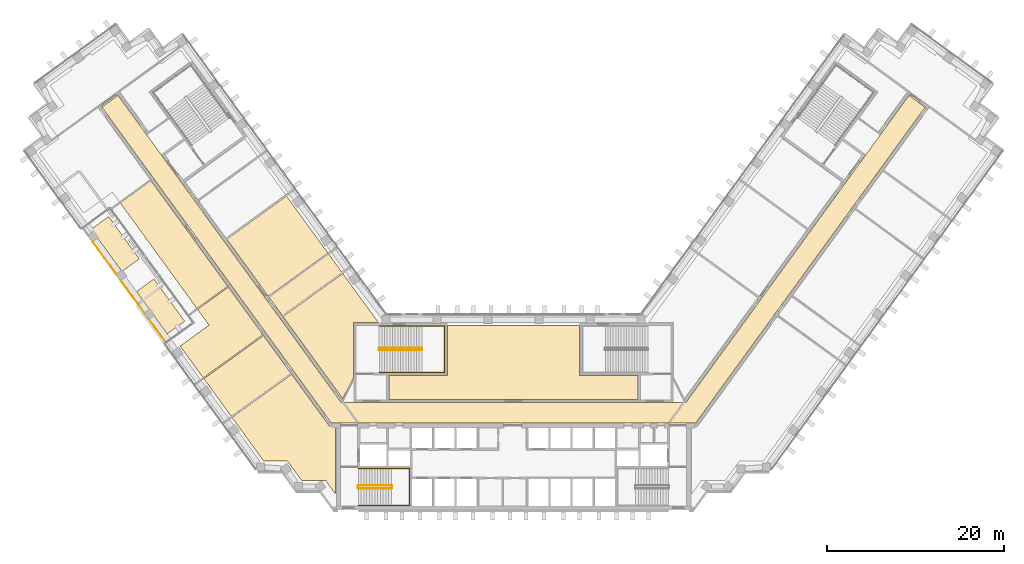
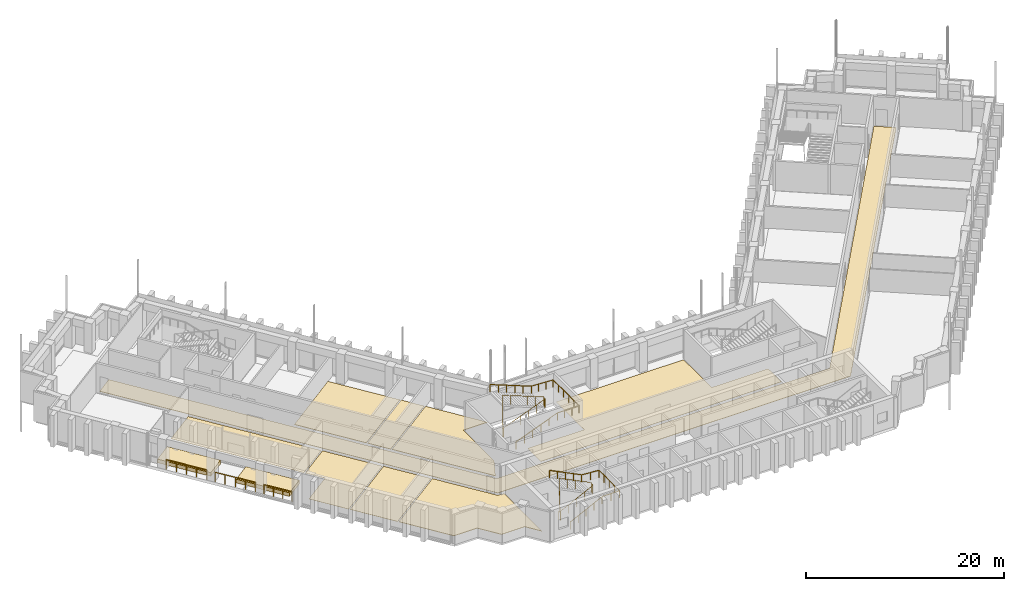
# One storey, part 16 of 19: 11 coverings, 7 railings.
"""IFC4 building model written with IfcOpenShell, lengths in metres."""

from ifc_helpers import new_model, si_unit, direction, frame, origin, origin_2d, place, context, subcontext, project, spatial, polyline, circle, outline, extrude, material, layer, layer_set, type_object, element, save


model = new_model("IFC4")

# Units and contexts
model_context = context("Model", 3, precision=1e-05, world=origin(), true_north=direction((0.0, 1.0)))
body_context = subcontext(model_context, "Body", "Model", "MODEL_VIEW")
ifc_project = project(units=[si_unit("LENGTHUNIT", "METRE"), si_unit("AREAUNIT", "SQUARE_METRE"), si_unit("VOLUMEUNIT", "CUBIC_METRE"), si_unit("PLANEANGLEUNIT", "RADIAN"), si_unit("MASSUNIT", "GRAM", prefix="KILO")], contexts=[model_context])

# Site, building, storey
site_placement = place(None, origin())
site = spatial("IfcSite", under=ifc_project, at=site_placement, CompositionType="ELEMENT")
building_placement = place(site_placement, origin())
building = spatial("IfcBuilding", under=site, at=building_placement, Name="Quipu Civic Tower", CompositionType="ELEMENT")
storey_placement = place(building_placement, frame((0.0, 0.0, 47.0)))
storey = spatial("IfcBuildingStorey", under=building, at=storey_placement, Name="L10", CompositionType="ELEMENT", Elevation=47.0)

# Coverings
ifc_material_1 = material(Name="Carpet tile on raised access floor")
ifc_layer_1 = layer(ifc_material_1, 0.02001953125)
ifc_layer_set_1 = layer_set([ifc_layer_1], Name="Carpet tile on raised access floor")
covering_type_1 = type_object("IfcCoveringType", Name="Carpet tile floor finish 20", PredefinedType="FLOORING", material=ifc_layer_set_1)
covering_1_placement = place(storey_placement, origin())
element("IfcCovering", 1, at=covering_1_placement, inside=storey, type_object=covering_type_1, Name="Carpet tile floor finish 20", PredefinedType="FLOORING", context=body_context, shape_type="SweptSolid", body=[
    extrude(outline(polyline([(-44.368896484375, 23.673095703125), (-40.905029296875, 26.18798828125), (-32.260009765625, 14.287109375), (-35.72412109375, 11.77197265625), (-44.368896484375, 23.673095703125)])), origin(), (0.0, 0.0, 1.0), 0.02001953125),
])
covering_2_placement = place(storey_placement, origin())
element("IfcCovering", 2, at=covering_2_placement, inside=storey, type_object=covering_type_1, Name="Carpet tile floor finish 20", PredefinedType="FLOORING", context=body_context, shape_type="SweptSolid", body=[
    extrude(outline(polyline([(-37.610107421875, 7.514892578125), (-34.35205078125, 9.881103515625), (-35.64111328125, 11.657958984375), (-32.177001953125, 14.174072265625), (-28.2919921875, 8.826904296875), (-35.01611328125, 3.943115234375), (-37.610107421875, 7.514892578125)])), origin(), (0.0, 0.0, 1.0), 0.02001953125),
])
covering_3_placement = place(storey_placement, origin())
element("IfcCovering", 3, at=covering_3_placement, inside=storey, type_object=covering_type_1, Name="Carpet tile floor finish 20", PredefinedType="FLOORING", context=body_context, shape_type="SweptSolid", body=[
    extrude(outline(polyline([(-14.030029296875, 1.52001953125), (-14.030029296875, 4.179931640625), (-7.429931640625, 4.180908203125), (-7.429931640625, 9.830078125), (7.429931640625, 9.830078125), (7.430908203125, 4.179931640625), (14.030029296875, 4.179931640625), (14.030029296875, 1.52001953125), (-14.030029296875, 1.52001953125)])), origin(), (0.0, 0.0, 1.0), 0.02001953125),
])
ifc_material_2 = material(Name="Ceramic floor tile")
ifc_layer_2 = layer(ifc_material_2, 0.030029296875)
ifc_layer_set_2 = layer_set([ifc_layer_2], Name="Ceramic floor tile")
covering_type_2 = type_object("IfcCoveringType", Name="Ceramic tile floor finish 30", PredefinedType="FLOORING", material=ifc_layer_set_2)
covering_4_placement = place(storey_placement, origin())
element("IfcCovering", 4, at=covering_4_placement, inside=storey, type_object=covering_type_2, Name="Ceramic tile floor finish 30", PredefinedType="FLOORING", context=body_context, shape_type="SweptSolid", body=[
    extrude(outline(polyline([(-34.931884765625, 3.830078125), (-28.208984375, 8.714111328125), (-25.117919921875, 4.4580078125), (-31.841064453125, -0.426025390625), (-34.931884765625, 3.830078125)])), origin(), (0.0, 0.0, 1.0), 0.030029296875),
])
ifc_material_3 = material(Name="Planting soil on drainage board")
ifc_layer_3 = layer(ifc_material_3, 0.449951171875)
ifc_layer_set_3 = layer_set([ifc_layer_3], Name="Planting soil on drainage board")
covering_type_3 = type_object("IfcCoveringType", Name="Planted terrace build-up", PredefinedType="FLOORING", material=ifc_layer_set_3)
covering_5_placement = place(storey_placement, origin())
element("IfcCovering", 5, at=covering_5_placement, inside=storey, type_object=covering_type_3, Name="Planted terrace L10 bed 1", PredefinedType="FLOORING", context=body_context, shape_type="SweptSolid", body=[
    extrude(outline(polyline([(-47.64892578125, 20.7021484375), (-45.68408203125, 22.129638671875), (-42.216064453125, 17.3564453125), (-44.180908203125, 15.9287109375), (-47.64892578125, 20.7021484375)])), origin(), (0.0, 0.0, 1.0), 0.449951171875),
])
covering_6_placement = place(storey_placement, origin())
element("IfcCovering", 6, at=covering_6_placement, inside=storey, type_object=covering_type_3, Name="Planted terrace L10 bed 2", PredefinedType="FLOORING", context=body_context, shape_type="SweptSolid", body=[
    extrude(outline(polyline([(-42.53515625, 13.66357421875), (-40.5703125, 15.091064453125), (-37.1025390625, 10.318115234375), (-39.067138671875, 8.890380859375), (-42.53515625, 13.66357421875)])), origin(), (0.0, 0.0, 1.0), 0.449951171875),
])
ifc_material_4 = material(Name="Sealed cement screed")
ifc_layer_4 = layer(ifc_material_4, 0.050048828125)
ifc_layer_set_4 = layer_set([ifc_layer_4], Name="Sealed cement screed")
covering_type_4 = type_object("IfcCoveringType", Name="Sealed screed floor finish 50", PredefinedType="FLOORING", material=ifc_layer_set_4)
covering_7_placement = place(storey_placement, origin())
element("IfcCovering", 7, at=covering_7_placement, inside=storey, type_object=covering_type_4, Name="Sealed screed floor finish 50", PredefinedType="FLOORING", context=body_context, shape_type="SweptSolid", body=[
    extrude(outline(polyline([(-27.577880859375, 13.01708984375), (-20.85498046875, 17.90087890625), (-19.35107421875, 15.8291015625), (-26.073974609375, 10.946044921875), (-27.577880859375, 13.01708984375)])), origin(), (0.0, 0.0, 1.0), 0.050048828125),
])
covering_8_placement = place(storey_placement, origin())
element("IfcCovering", 8, at=covering_8_placement, inside=storey, type_object=covering_type_4, Name="Sealed screed floor finish 50", PredefinedType="FLOORING", context=body_context, shape_type="SweptSolid", body=[
    extrude(outline(polyline([(-25.990966796875, 10.8330078125), (-19.26806640625, 15.716064453125), (-15.238037109375, 10.169921875), (-18.070068359375, 10.1689453125), (-18.070068359375, 3.94189453125), (-19.27197265625, 1.583984375), (-25.990966796875, 10.8330078125)])), origin(), (0.0, 0.0, 1.0), 0.050048828125),
])
covering_9_placement = place(storey_placement, origin())
element("IfcCovering", 9, at=covering_9_placement, inside=storey, type_object=covering_type_4, Name="Sealed screed floor finish 50", PredefinedType="FLOORING", context=body_context, shape_type="SweptSolid", body=[
    extrude(outline(polyline([(-31.758056640625, -0.5390625), (-25.034912109375, 4.344970703125), (-20.77490234375, -1.51904296875), (-20.070068359375, -1.52001953125), (-20.070068359375, -9.195068359375), (-21.196044921875, -7.64599609375), (-21.6630859375, -7.64599609375), (-21.666015625, -7.64404296875), (-21.669921875, -7.64111328125), (-21.675048828125, -7.639892578125), (-21.679931640625, -7.637939453125), (-21.68408203125, -7.636962890625), (-21.68896484375, -7.636962890625), (-21.694091796875, -7.635986328125), (-21.698974609375, -7.636962890625), (-21.7041015625, -7.637939453125), (-21.708984375, -7.638916015625), (-21.712890625, -7.64111328125), (-21.718017578125, -7.64306640625), (-21.721923828125, -7.64599609375), (-21.721923828125, -7.64599609375), (-23.89501953125, -7.64599609375), (-25.48193359375, -5.4619140625), (-28.181884765625, -5.4609375), (-31.758056640625, -0.5390625)])), origin(), (0.0, 0.0, 1.0), 0.050048828125),
])
covering_10_placement = place(storey_placement, origin())
element("IfcCovering", 10, at=covering_10_placement, inside=storey, type_object=covering_type_4, Name="Sealed screed floor finish 50", PredefinedType="FLOORING", context=body_context, shape_type="SweptSolid", body=[
    extrude(outline(polyline([(-32.339111328125, 19.570068359375), (-25.615966796875, 24.4541015625), (-20.93798828125, 18.013916015625), (-27.660888671875, 13.1298828125), (-32.339111328125, 19.570068359375)])), origin(), (0.0, 0.0, 1.0), 0.050048828125),
])

# Railings
ifc_material_5 = material(Name="Stainless steel", Category="steel")
railing_type_1 = type_object("IfcRailingType", Name="Stair guard 1100", PredefinedType="GUARDRAIL", material=ifc_material_5)
railing_1_placement = place(storey_placement, frame((-17.5, -8.550048828125, 0.15380859375)))
element("IfcRailing", 11, at=railing_1_placement, inside=storey, type_object=railing_type_1, Name="Stair 1 guard", PredefinedType="GUARDRAIL", context=body_context, shape_type="SweptSolid", body=[
    extrude(circle(Radius=0.02392578125, at=origin_2d()), frame((0.0, 0.0, 1.076171875), z_axis=(0.895751851347, 0.0, 0.444554407028), x_axis=(0.0, 1.0, 0.0)), (0.0, 0.0, 1.0), 4.15283203125),
    extrude(circle(Radius=0.02392578125, at=origin_2d()), frame((3.719970703125, 0.0, 2.92236328125), z_axis=(0.707106781187, 0.707106781187, 0.0), x_axis=(-0.707106781187, 0.707106781187, 0.0)), (0.0, 0.0, 1.0), 0.07080078125),
    extrude(circle(Radius=0.02392578125, at=origin_2d()), frame((3.77001953125, 0.050048828125, 2.92236328125), z_axis=(0.0, 1.0, 0.0), x_axis=(-1.0, 0.0, 0.0)), (0.0, 0.0, 1.0), 0.25),
    extrude(circle(Radius=0.02392578125, at=origin_2d()), frame((3.77001953125, 0.300048828125, 2.92236328125), z_axis=(-0.295599637079, 0.295599637079, 0.908428152975), x_axis=(-0.707106781187, -0.707106781187, 0.0)), (0.0, 0.0, 1.0), 0.16943359375),
    extrude(circle(Radius=0.02392578125, at=origin_2d()), frame((3.719970703125, 0.35009765625, 3.076171875), z_axis=(-0.895751851347, 0.0, 0.444554407028), x_axis=(0.0, -1.0, 0.0)), (0.0, 0.0, 1.0), 4.15283203125),
    extrude(circle(Radius=0.02392578125, at=origin_2d()), frame((0.0, 0.35009765625, 4.92236328125), z_axis=(-0.012476181752, -0.074796231092, -0.997120789425), x_axis=(0.986372223864, -0.164529134168, 0.0)), (0.0, 0.0, 1.0), 4.011474609375),
    extrude(circle(Radius=0.02392578125, at=origin_2d()), frame((-0.050048828125, 0.050048828125, 0.92236328125), z_axis=(0.0, 1.0, 0.0), x_axis=(-1.0, 0.0, 0.0)), (0.0, 0.0, 1.0), 0.25),
    extrude(circle(Radius=0.02099609375, at=origin_2d()), origin(), (0.0, 0.0, 1.0), 1.052001953125),
    extrude(circle(Radius=0.02099609375, at=origin_2d()), frame((0.929931640625, 0.0, 0.46142578125)), (0.0, 0.0, 1.0), 1.052001953125),
    extrude(circle(Radius=0.02099609375, at=origin_2d()), frame((1.85986328125, 0.0, 0.923095703125)), (0.0, 0.0, 1.0), 1.052001953125),
    extrude(circle(Radius=0.02099609375, at=origin_2d()), frame((2.7900390625, 0.0, 1.384765625)), (0.0, 0.0, 1.0), 1.052001953125),
    extrude(circle(Radius=0.02099609375, at=origin_2d()), frame((3.719970703125, 0.0, 1.84619140625)), (0.0, 0.0, 1.0), 1.052001953125),
    extrude(circle(Radius=0.02099609375, at=origin_2d()), frame((3.77001953125, 0.050048828125, 1.84619140625)), (0.0, 0.0, 1.0), 1.052001953125),
    extrude(circle(Radius=0.02099609375, at=origin_2d()), frame((3.77001953125, 0.300048828125, 1.84619140625)), (0.0, 0.0, 1.0), 1.052001953125),
    extrude(circle(Radius=0.02099609375, at=origin_2d()), frame((3.719970703125, 0.35009765625, 2.0)), (0.0, 0.0, 1.0), 1.052001953125),
    extrude(circle(Radius=0.02099609375, at=origin_2d()), frame((2.7900390625, 0.35009765625, 2.46142578125)), (0.0, 0.0, 1.0), 1.052001953125),
    extrude(circle(Radius=0.02099609375, at=origin_2d()), frame((1.85986328125, 0.35009765625, 2.923095703125)), (0.0, 0.0, 1.0), 1.052001953125),
    extrude(circle(Radius=0.02099609375, at=origin_2d()), frame((0.929931640625, 0.35009765625, 3.384765625)), (0.0, 0.0, 1.0), 1.052001953125),
    extrude(circle(Radius=0.02099609375, at=origin_2d()), frame((0.0, 0.35009765625, 3.84619140625)), (0.0, 0.0, 1.0), 1.052001953125),
    extrude(circle(Radius=0.02099609375, at=origin_2d()), frame((-0.012451171875, 0.275146484375, 2.84619140625)), (0.0, 0.0, 1.0), 1.052001953125),
    extrude(circle(Radius=0.02099609375, at=origin_2d()), frame((-0.02490234375, 0.2001953125, 1.84619140625)), (0.0, 0.0, 1.0), 1.052001953125),
    extrude(circle(Radius=0.02099609375, at=origin_2d()), frame((-0.03759765625, 0.125, 0.84619140625)), (0.0, 0.0, 1.0), 1.052001953125),
    extrude(circle(Radius=0.02099609375, at=origin_2d()), frame((-0.050048828125, 0.050048828125, -0.15380859375)), (0.0, 0.0, 1.0), 1.052001953125),
    extrude(circle(Radius=0.02099609375, at=origin_2d()), frame((-0.050048828125, 0.300048828125, -0.15380859375)), (0.0, 0.0, 1.0), 1.052001953125),
])
railing_2_placement = place(storey_placement, frame((-15.14990234375, 7.050048828125, 0.11767578125)))
element("IfcRailing", 12, at=railing_2_placement, inside=storey, type_object=railing_type_1, Name="Stair 3 guard", PredefinedType="GUARDRAIL", context=body_context, shape_type="SweptSolid", body=[
    extrude(circle(Radius=0.02392578125, at=origin_2d()), frame((0.0, 0.0, 1.076171875), z_axis=(0.930970042603, 0.0, 0.365095576219), x_axis=(0.0, 1.0, 0.0)), (0.0, 0.0, 1.0), 5.15576171875),
    extrude(circle(Radius=0.02392578125, at=origin_2d()), frame((4.7998046875, 0.0, 2.95849609375), z_axis=(0.707106781187, 0.707106781187, 0.0), x_axis=(-0.707106781187, 0.707106781187, 0.0)), (0.0, 0.0, 1.0), 0.07080078125),
    extrude(circle(Radius=0.02392578125, at=origin_2d()), frame((4.849853515625, 0.050048828125, 2.95849609375), z_axis=(0.0, 1.0, 0.0), x_axis=(-1.0, 0.0, 0.0)), (0.0, 0.0, 1.0), 0.14990234375),
    extrude(circle(Radius=0.02392578125, at=origin_2d()), frame((4.849853515625, 0.199951171875, 2.95849609375), z_axis=(-0.364463019033, 0.364463019033, 0.856932561824), x_axis=(-0.707106781187, -0.707106781187, 0.0)), (0.0, 0.0, 1.0), 0.13720703125),
    extrude(circle(Radius=0.02392578125, at=origin_2d()), frame((4.7998046875, 0.25, 3.076171875), z_axis=(-0.930970042603, 0.0, 0.365095576219), x_axis=(0.0, -1.0, 0.0)), (0.0, 0.0, 1.0), 5.15576171875),
    extrude(circle(Radius=0.02392578125, at=origin_2d()), frame((0.0, 0.25, 4.95849609375), z_axis=(-0.012495627992, -0.049921557685, -0.998674970829), x_axis=(0.970072785993, -0.242814311512, 0.0)), (0.0, 0.0, 1.0), 4.00537109375),
    extrude(circle(Radius=0.02392578125, at=origin_2d()), frame((-0.050048828125, 0.050048828125, 0.95849609375), z_axis=(0.0, 1.0, 0.0), x_axis=(-1.0, 0.0, 0.0)), (0.0, 0.0, 1.0), 0.14990234375),
    extrude(circle(Radius=0.02099609375, at=origin_2d()), origin(), (0.0, 0.0, 1.0), 1.052001953125),
    extrude(circle(Radius=0.02099609375, at=origin_2d()), frame((0.9599609375, 0.0, 0.37646484375)), (0.0, 0.0, 1.0), 1.052001953125),
    extrude(circle(Radius=0.02099609375, at=origin_2d()), frame((1.919921875, 0.0, 0.7529296875)), (0.0, 0.0, 1.0), 1.052001953125),
    extrude(circle(Radius=0.02099609375, at=origin_2d()), frame((2.8798828125, 0.0, 1.12939453125)), (0.0, 0.0, 1.0), 1.052001953125),
    extrude(circle(Radius=0.02099609375, at=origin_2d()), frame((3.83984375, 0.0, 1.505859375)), (0.0, 0.0, 1.0), 1.052001953125),
    extrude(circle(Radius=0.02099609375, at=origin_2d()), frame((4.7998046875, 0.0, 1.88232421875)), (0.0, 0.0, 1.0), 1.052001953125),
    extrude(circle(Radius=0.02099609375, at=origin_2d()), frame((4.849853515625, 0.050048828125, 1.88232421875)), (0.0, 0.0, 1.0), 1.052001953125),
    extrude(circle(Radius=0.02099609375, at=origin_2d()), frame((4.849853515625, 0.199951171875, 1.88232421875)), (0.0, 0.0, 1.0), 1.052001953125),
    extrude(circle(Radius=0.02099609375, at=origin_2d()), frame((4.7998046875, 0.25, 2.0)), (0.0, 0.0, 1.0), 1.052001953125),
    extrude(circle(Radius=0.02099609375, at=origin_2d()), frame((3.83984375, 0.25, 2.37646484375)), (0.0, 0.0, 1.0), 1.052001953125),
    extrude(circle(Radius=0.02099609375, at=origin_2d()), frame((2.8798828125, 0.25, 2.7529296875)), (0.0, 0.0, 1.0), 1.052001953125),
    extrude(circle(Radius=0.02099609375, at=origin_2d()), frame((1.919921875, 0.25, 3.12939453125)), (0.0, 0.0, 1.0), 1.052001953125),
    extrude(circle(Radius=0.02099609375, at=origin_2d()), frame((0.9599609375, 0.25, 3.505859375)), (0.0, 0.0, 1.0), 1.052001953125),
    extrude(circle(Radius=0.02099609375, at=origin_2d()), frame((0.0, 0.25, 3.88232421875)), (0.0, 0.0, 1.0), 1.052001953125),
    extrude(circle(Radius=0.02099609375, at=origin_2d()), frame((-0.012451171875, 0.199951171875, 2.88232421875)), (0.0, 0.0, 1.0), 1.052001953125),
    extrude(circle(Radius=0.02099609375, at=origin_2d()), frame((-0.02490234375, 0.14990234375, 1.88232421875)), (0.0, 0.0, 1.0), 1.052001953125),
    extrude(circle(Radius=0.02099609375, at=origin_2d()), frame((-0.03759765625, 0.10009765625, 0.88232421875)), (0.0, 0.0, 1.0), 1.052001953125),
    extrude(circle(Radius=0.02099609375, at=origin_2d()), frame((-0.050048828125, 0.050048828125, -0.11767578125)), (0.0, 0.0, 1.0), 1.052001953125),
    extrude(circle(Radius=0.02099609375, at=origin_2d()), frame((-0.050048828125, 0.199951171875, -0.11767578125)), (0.0, 0.0, 1.0), 1.052001953125),
])
ifc_material_6 = material(Name="Stainless steel", Category="steel")
railing_type_2 = type_object("IfcRailingType", Name="Stair handrail", PredefinedType="HANDRAIL", material=ifc_material_6)
railing_3_placement = place(storey_placement, frame((-17.5, -10.449951171875, 0.15380859375)))
element("IfcRailing", 13, at=railing_3_placement, inside=storey, type_object=railing_type_2, Name="Stair 1 handrail", PredefinedType="HANDRAIL", context=body_context, shape_type="SweptSolid", body=[
    extrude(circle(Radius=0.02392578125, at=origin_2d()), frame((0.0, 0.0, 0.8759765625), z_axis=(0.895751851347, 0.0, 0.444554407028), x_axis=(0.0, 1.0, 0.0)), (0.0, 0.0, 1.0), 4.15283203125),
    extrude(circle(Radius=0.02392578125, at=origin_2d()), frame((3.719970703125, 0.0, 2.72216796875), z_axis=(1.0, 0.0, 0.0), x_axis=(0.0, 1.0, 0.0)), (0.0, 0.0, 1.0), 2.030029296875),
    extrude(circle(Radius=0.02392578125, at=origin_2d()), frame((5.75, 0.0, 2.72216796875), z_axis=(0.0, 1.0, 0.0), x_axis=(-1.0, 0.0, 0.0)), (0.0, 0.0, 1.0), 4.14990234375),
    extrude(circle(Radius=0.02392578125, at=origin_2d()), frame((5.75, 4.14990234375, 2.72216796875), z_axis=(-0.997142003663, 0.0, 0.075550145798), x_axis=(0.0, -1.0, 0.0)), (0.0, 0.0, 1.0), 2.035888671875),
    extrude(circle(Radius=0.02392578125, at=origin_2d()), frame((3.719970703125, 4.14990234375, 2.8759765625), z_axis=(-0.895751851347, 0.0, 0.444554407028), x_axis=(0.0, -1.0, 0.0)), (0.0, 0.0, 1.0), 4.15283203125),
    extrude(circle(Radius=0.02099609375, at=origin_2d()), origin(), (0.0, 0.0, 1.0), 0.851806640625),
    extrude(circle(Radius=0.02099609375, at=origin_2d()), frame((0.929931640625, 0.0, 0.46142578125)), (0.0, 0.0, 1.0), 0.851806640625),
    extrude(circle(Radius=0.02099609375, at=origin_2d()), frame((1.85986328125, 0.0, 0.923095703125)), (0.0, 0.0, 1.0), 0.851806640625),
    extrude(circle(Radius=0.02099609375, at=origin_2d()), frame((2.7900390625, 0.0, 1.384765625)), (0.0, 0.0, 1.0), 0.851806640625),
    extrude(circle(Radius=0.02099609375, at=origin_2d()), frame((3.719970703125, 0.0, 1.84619140625)), (0.0, 0.0, 1.0), 0.851806640625),
    extrude(circle(Radius=0.02099609375, at=origin_2d()), frame((4.73486328125, 0.0, 1.84619140625)), (0.0, 0.0, 1.0), 0.851806640625),
    extrude(circle(Radius=0.02099609375, at=origin_2d()), frame((5.75, 0.0, 1.84619140625)), (0.0, 0.0, 1.0), 0.851806640625),
    extrude(circle(Radius=0.02099609375, at=origin_2d()), frame((5.75, 1.03759765625, 1.84619140625)), (0.0, 0.0, 1.0), 0.851806640625),
    extrude(circle(Radius=0.02099609375, at=origin_2d()), frame((5.75, 2.074951171875, 1.84619140625)), (0.0, 0.0, 1.0), 0.851806640625),
    extrude(circle(Radius=0.02099609375, at=origin_2d()), frame((5.75, 3.1123046875, 1.84619140625)), (0.0, 0.0, 1.0), 0.851806640625),
    extrude(circle(Radius=0.02099609375, at=origin_2d()), frame((5.75, 4.14990234375, 1.84619140625)), (0.0, 0.0, 1.0), 0.851806640625),
    extrude(circle(Radius=0.02099609375, at=origin_2d()), frame((4.73486328125, 4.14990234375, 1.923095703125)), (0.0, 0.0, 1.0), 0.851806640625),
    extrude(circle(Radius=0.02099609375, at=origin_2d()), frame((3.719970703125, 4.14990234375, 2.0)), (0.0, 0.0, 1.0), 0.851806640625),
    extrude(circle(Radius=0.02099609375, at=origin_2d()), frame((2.7900390625, 4.14990234375, 2.46142578125)), (0.0, 0.0, 1.0), 0.851806640625),
    extrude(circle(Radius=0.02099609375, at=origin_2d()), frame((1.85986328125, 4.14990234375, 2.923095703125)), (0.0, 0.0, 1.0), 0.851806640625),
    extrude(circle(Radius=0.02099609375, at=origin_2d()), frame((0.929931640625, 4.14990234375, 3.384765625)), (0.0, 0.0, 1.0), 0.851806640625),
    extrude(circle(Radius=0.02099609375, at=origin_2d()), frame((0.0, 4.14990234375, 3.84619140625)), (0.0, 0.0, 1.0), 0.851806640625),
])
railing_4_placement = place(storey_placement, frame((-15.14990234375, 4.550048828125, 0.11767578125)))
element("IfcRailing", 14, at=railing_4_placement, inside=storey, type_object=railing_type_2, Name="Stair 3 handrail", PredefinedType="HANDRAIL", context=body_context, shape_type="SweptSolid", body=[
    extrude(circle(Radius=0.02392578125, at=origin_2d()), frame((0.0, 0.0, 0.8759765625), z_axis=(0.930970042603, 0.0, 0.365095576219), x_axis=(0.0, 1.0, 0.0)), (0.0, 0.0, 1.0), 5.15576171875),
    extrude(circle(Radius=0.02392578125, at=origin_2d()), frame((4.7998046875, 0.0, 2.75830078125), z_axis=(1.0, 0.0, 0.0), x_axis=(0.0, 1.0, 0.0)), (0.0, 0.0, 1.0), 2.550048828125),
    extrude(circle(Radius=0.02392578125, at=origin_2d()), frame((7.349853515625, 0.0, 2.75830078125), z_axis=(0.0, 1.0, 0.0), x_axis=(-1.0, 0.0, 0.0)), (0.0, 0.0, 1.0), 5.25),
    extrude(circle(Radius=0.02392578125, at=origin_2d()), frame((7.349853515625, 5.25, 2.75830078125), z_axis=(-0.998936948642, 0.0, 0.04609742549), x_axis=(0.0, -1.0, 0.0)), (0.0, 0.0, 1.0), 2.552734375),
    extrude(circle(Radius=0.02392578125, at=origin_2d()), frame((4.7998046875, 5.25, 2.8759765625), z_axis=(-0.930970042603, 0.0, 0.365095576219), x_axis=(0.0, -1.0, 0.0)), (0.0, 0.0, 1.0), 5.15576171875),
    extrude(circle(Radius=0.02099609375, at=origin_2d()), origin(), (0.0, 0.0, 1.0), 0.851806640625),
    extrude(circle(Radius=0.02099609375, at=origin_2d()), frame((0.9599609375, 0.0, 0.37646484375)), (0.0, 0.0, 1.0), 0.851806640625),
    extrude(circle(Radius=0.02099609375, at=origin_2d()), frame((1.919921875, 0.0, 0.7529296875)), (0.0, 0.0, 1.0), 0.851806640625),
    extrude(circle(Radius=0.02099609375, at=origin_2d()), frame((2.8798828125, 0.0, 1.12939453125)), (0.0, 0.0, 1.0), 0.851806640625),
    extrude(circle(Radius=0.02099609375, at=origin_2d()), frame((3.83984375, 0.0, 1.505859375)), (0.0, 0.0, 1.0), 0.851806640625),
    extrude(circle(Radius=0.02099609375, at=origin_2d()), frame((4.7998046875, 0.0, 1.88232421875)), (0.0, 0.0, 1.0), 0.851806640625),
    extrude(circle(Radius=0.02099609375, at=origin_2d()), frame((5.64990234375, 0.0, 1.88232421875)), (0.0, 0.0, 1.0), 0.851806640625),
    extrude(circle(Radius=0.02099609375, at=origin_2d()), frame((6.499755859375, 0.0, 1.88232421875)), (0.0, 0.0, 1.0), 0.851806640625),
    extrude(circle(Radius=0.02099609375, at=origin_2d()), frame((7.349853515625, 0.0, 1.88232421875)), (0.0, 0.0, 1.0), 0.851806640625),
    extrude(circle(Radius=0.02099609375, at=origin_2d()), frame((7.349853515625, 1.050048828125, 1.88232421875)), (0.0, 0.0, 1.0), 0.851806640625),
    extrude(circle(Radius=0.02099609375, at=origin_2d()), frame((7.349853515625, 2.10009765625, 1.88232421875)), (0.0, 0.0, 1.0), 0.851806640625),
    extrude(circle(Radius=0.02099609375, at=origin_2d()), frame((7.349853515625, 3.14990234375, 1.88232421875)), (0.0, 0.0, 1.0), 0.851806640625),
    extrude(circle(Radius=0.02099609375, at=origin_2d()), frame((7.349853515625, 4.199951171875, 1.88232421875)), (0.0, 0.0, 1.0), 0.851806640625),
    extrude(circle(Radius=0.02099609375, at=origin_2d()), frame((7.349853515625, 5.25, 1.88232421875)), (0.0, 0.0, 1.0), 0.851806640625),
    extrude(circle(Radius=0.02099609375, at=origin_2d()), frame((6.499755859375, 5.25, 1.921630859375)), (0.0, 0.0, 1.0), 0.851806640625),
    extrude(circle(Radius=0.02099609375, at=origin_2d()), frame((5.64990234375, 5.25, 1.960693359375)), (0.0, 0.0, 1.0), 0.851806640625),
    extrude(circle(Radius=0.02099609375, at=origin_2d()), frame((4.7998046875, 5.25, 2.0)), (0.0, 0.0, 1.0), 0.851806640625),
    extrude(circle(Radius=0.02099609375, at=origin_2d()), frame((3.83984375, 5.25, 2.37646484375)), (0.0, 0.0, 1.0), 0.851806640625),
    extrude(circle(Radius=0.02099609375, at=origin_2d()), frame((2.8798828125, 5.25, 2.7529296875)), (0.0, 0.0, 1.0), 0.851806640625),
    extrude(circle(Radius=0.02099609375, at=origin_2d()), frame((1.919921875, 5.25, 3.12939453125)), (0.0, 0.0, 1.0), 0.851806640625),
    extrude(circle(Radius=0.02099609375, at=origin_2d()), frame((0.9599609375, 5.25, 3.505859375)), (0.0, 0.0, 1.0), 0.851806640625),
    extrude(circle(Radius=0.02099609375, at=origin_2d()), frame((0.0, 5.25, 3.88232421875)), (0.0, 0.0, 1.0), 0.851806640625),
])
ifc_material_7 = material(Name="Steel S275", Category="steel")
railing_type_3 = type_object("IfcRailingType", Name="Terrace guard G1", PredefinedType="GUARDRAIL", material=ifc_material_7)
for number, where, name in (
    (15, (-47.46142578125, 19.287353515625, 0.0), "Terrace guard L10.2"),
    (16, (-44.287353515625, 14.918701171875, 0.0), "Terrace guard L10.3"),
):
    element("IfcRailing", number, at=place(storey_placement, frame(where)), inside=storey, type_object=railing_type_3, Name=name, PredefinedType="GUARDRAIL", context=body_context, shape_type="SweptSolid", body=[
        extrude(circle(Radius=0.02490234375, at=origin_2d()), frame((0.0, 0.0, 1.1748046875), z_axis=(0.587778073121, -0.809022210299, 0.0), x_axis=(0.809022210299, 0.587778073121, 0.0)), (0.0, 0.0, 1.0), 4.5),
        extrude(circle(Radius=0.02490234375, at=origin_2d()), origin(), (0.0, 0.0, 1.0), 1.14990234375),
        extrude(circle(Radius=0.02490234375, at=origin_2d()), frame((0.6611328125, -0.91015625, 0.0)), (0.0, 0.0, 1.0), 1.14990234375),
        extrude(circle(Radius=0.02490234375, at=origin_2d()), frame((1.322509765625, -1.8203125, 0.0)), (0.0, 0.0, 1.0), 1.14990234375),
        extrude(circle(Radius=0.02490234375, at=origin_2d()), frame((1.98388671875, -2.73046875, 0.0)), (0.0, 0.0, 1.0), 1.14990234375),
        extrude(circle(Radius=0.02490234375, at=origin_2d()), frame((2.64501953125, -3.640625, 0.0)), (0.0, 0.0, 1.0), 1.14990234375),
    ])
railing_5_placement = place(storey_placement, frame((-41.113525390625, 10.550048828125, 0.0)))
element("IfcRailing", 17, at=railing_5_placement, inside=storey, type_object=railing_type_3, Name="Terrace guard L10.4", PredefinedType="GUARDRAIL", context=body_context, shape_type="SweptSolid", body=[
    extrude(circle(Radius=0.02490234375, at=origin_2d()), frame((0.0, 0.0, 1.1748046875), z_axis=(0.587797811871, -0.809007869158, 0.0), x_axis=(0.809007869158, 0.587797811871, 0.0)), (0.0, 0.0, 1.0), 3.1455078125),
    extrude(circle(Radius=0.02490234375, at=origin_2d()), origin(), (0.0, 0.0, 1.0), 1.14990234375),
    extrude(circle(Radius=0.02490234375, at=origin_2d()), frame((0.6162109375, -0.84814453125, 0.0)), (0.0, 0.0, 1.0), 1.14990234375),
    extrude(circle(Radius=0.02490234375, at=origin_2d()), frame((1.232666015625, -1.696533203125, 0.0)), (0.0, 0.0, 1.0), 1.14990234375),
    extrude(circle(Radius=0.02490234375, at=origin_2d()), frame((1.848876953125, -2.544677734375, 0.0)), (0.0, 0.0, 1.0), 1.14990234375),
])

# Covering
ifc_material_8 = material(Name="Terrazzo floor finish")
ifc_layer_5 = layer(ifc_material_8, 0.0400390625)
ifc_layer_set_5 = layer_set([ifc_layer_5], Name="Terrazzo floor finish")
covering_type_5 = type_object("IfcCoveringType", Name="Terrazzo floor finish 40", PredefinedType="FLOORING", material=ifc_layer_set_5)
covering_11_placement = place(storey_placement, origin())
element("IfcCovering", 18, at=covering_11_placement, inside=storey, type_object=covering_type_5, Name="Terrazzo floor finish 40", PredefinedType="FLOORING", context=body_context, shape_type="SweptSolid", body=[
    extrude(outline(polyline([(20.574951171875, -1.1298828125), (-20.574951171875, -1.1298828125), (-46.44091796875, 34.471923828125), (-44.613037109375, 35.800048828125), (-19.425048828125, 1.1298828125), (19.425048828125, 1.1298828125), (44.613037109375, 35.800048828125), (46.44091796875, 34.471923828125), (20.574951171875, -1.1298828125)])), origin(), (0.0, 0.0, 1.0), 0.0400390625),
])

save(model, "model.ifc")
